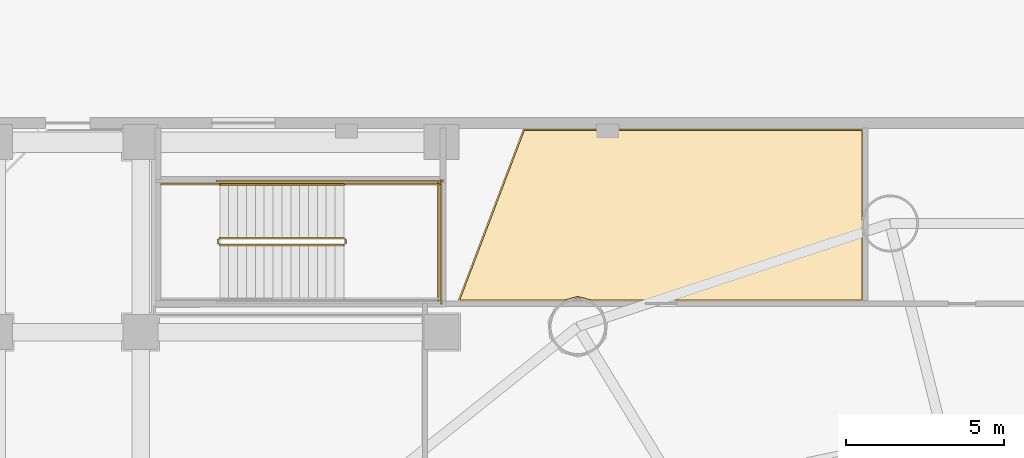
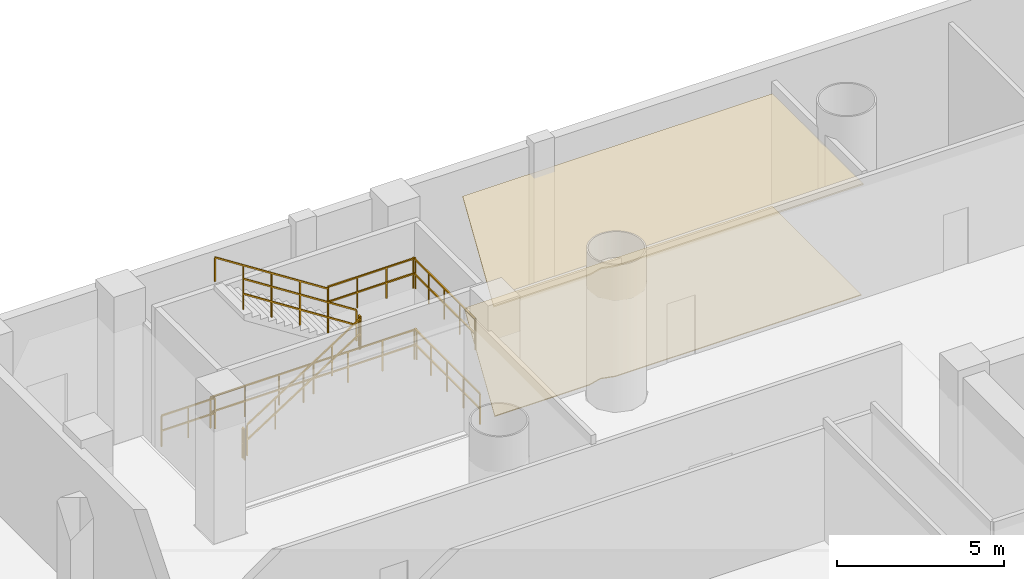
# One storey, part 20 of 25: 10 railings, 2 coverings.
"""IFC4 building model written with IfcOpenShell, lengths in metres."""

from ifc_helpers import new_model, si_unit, direction, frame, origin, origin_2d, place, context, subcontext, project, spatial, polyline, rectangle, outline, extrude, material, layer, layer_set, type_object, element, save


model = new_model("IFC4")

# Units and contexts
model_context = context("Model", 3, precision=1e-05, world=origin(), true_north=direction((-0.2419218956, 0.970295726276)))
body_context = subcontext(model_context, "Body", "Model", "MODEL_VIEW")
ifc_project = project(units=[si_unit("LENGTHUNIT", "METRE"), si_unit("AREAUNIT", "SQUARE_METRE"), si_unit("VOLUMEUNIT", "CUBIC_METRE"), si_unit("PLANEANGLEUNIT", "RADIAN"), si_unit("MASSUNIT", "GRAM", prefix="KILO")], contexts=[model_context])

# Site, building, storey
site_placement = place(None, origin())
site = spatial("IfcSite", under=ifc_project, at=site_placement, CompositionType="ELEMENT")
building_placement = place(site_placement, origin())
building = spatial("IfcBuilding", under=site, at=building_placement, Name="Cobrevalo Terracotta Tower", CompositionType="ELEMENT")
storey_placement = place(building_placement, origin())
storey = spatial("IfcBuildingStorey", under=building, at=storey_placement, Name="L00", CompositionType="ELEMENT", Elevation=0.0)

# Coverings
ifc_material_1 = material(Name="Honed terracotta and granite tile", Category="masonry")
ifc_layer_1 = layer(ifc_material_1, 0.034912109375)
ifc_layer_set_1 = layer_set([ifc_layer_1], Name="Honed terracotta and granite tile")
covering_type_1 = type_object("IfcCoveringType", Name="Honed Terracotta & Granite Interior Flooring 35", PredefinedType="FLOORING", material=ifc_layer_set_1)
covering_1_placement = place(storey_placement, origin())
element("IfcCovering", 1, at=covering_1_placement, inside=storey, type_object=covering_type_1, Name="Fire Command Centre floor finish", PredefinedType="FLOORING", context=body_context, shape_type="SweptSolid", body=[
    extrude(outline(polyline([(31.780029296875, 51.159912109375), (31.780029296875, 45.81005859375), (23.256103515625, 45.81005859375), (22.80517578125, 45.927734375), (22.354248046875, 45.81005859375), (19.0791015625, 45.81005859375), (21.11376953125, 51.159912109375), (31.780029296875, 51.159912109375)])), origin(), (0.0, 0.0, 1.0), 0.030029296875),
])
ifc_material_2 = material(Name="Acoustic perforated gypsum ceiling", Category="gypsum")
ifc_layer_2 = layer(ifc_material_2, 0.050048828125)
ifc_layer_set_2 = layer_set([ifc_layer_2], Name="Acoustic perforated gypsum ceiling")
covering_type_2 = type_object("IfcCoveringType", Name="Perforated Acoustic Gypsum Ceiling 50", PredefinedType="CEILING", material=ifc_layer_set_2)
covering_2_placement = place(storey_placement, frame((0.0, 0.0, 4.06005859375)))
element("IfcCovering", 2, at=covering_2_placement, inside=storey, type_object=covering_type_2, Name="Fire Command Centre acoustic ceiling", PredefinedType="CEILING", context=body_context, shape_type="SweptSolid", body=[
    extrude(outline(polyline([(31.824951171875, 51.205078125), (31.824951171875, 45.764892578125), (23.244873046875, 45.764892578125), (22.80517578125, 45.882568359375), (22.365478515625, 45.764892578125), (19.013671875, 45.764892578125), (21.082763671875, 51.205078125), (31.824951171875, 51.205078125)])), origin(), (0.0, 0.0, 1.0), 0.050048828125),
])

# Railings
ifc_material_3 = material(Name="Brushed stainless steel", Category="steel")
railing_type_1 = type_object("IfcRailingType", Name="Stainless Steel Stair Handrail 900", PredefinedType="HANDRAIL", material=ifc_material_3)
railing_1_placement = place(storey_placement, frame((15.419921875, 49.469970703125, 2.8798828125)))
element("IfcRailing", 3, at=railing_1_placement, inside=storey, type_object=railing_type_1, Name="L00 ST-P1 stair handrail 2", PredefinedType="HANDRAIL", context=body_context, shape_type="SweptSolid", body=[
    extrude(rectangle(XDim=0.048095703125, YDim=0.048095703125, at=origin_2d()), frame((0.0, 0.0, 0.8759765625), z_axis=(-0.841171666519, 0.0, 0.540768182723), x_axis=(0.0, -1.0, 0.0)), (0.0, 0.0, 1.0), 4.66015625),
    extrude(rectangle(XDim=0.0419921875, YDim=0.0419921875, at=origin_2d()), origin(), (0.0, 0.0, 1.0), 0.851806640625),
    extrude(rectangle(XDim=0.0419921875, YDim=0.0419921875, at=origin_2d()), frame((-0.97998046875, 0.0, 0.6298828125)), (0.0, 0.0, 1.0), 0.851806640625),
    extrude(rectangle(XDim=0.0419921875, YDim=0.0419921875, at=origin_2d()), frame((-1.9599609375, 0.0, 1.260009765625)), (0.0, 0.0, 1.0), 0.851806640625),
    extrude(rectangle(XDim=0.0419921875, YDim=0.0419921875, at=origin_2d()), frame((-2.93994140625, 0.0, 1.89013671875)), (0.0, 0.0, 1.0), 0.851806640625),
    extrude(rectangle(XDim=0.0419921875, YDim=0.0419921875, at=origin_2d()), frame((-3.919921875, 0.0, 2.52001953125)), (0.0, 0.0, 1.0), 0.851806640625),
])
ifc_material_4 = material(Name="Painted galvanized steel", Category="steel")
railing_type_2 = type_object("IfcRailingType", Name="Stair Well Guard Balustrade 1150", PredefinedType="GUARDRAIL", material=ifc_material_4)
railing_2_placement = place(storey_placement, frame((11.5, 47.550048828125, 0.179931640625)))
element("IfcRailing", 4, at=railing_2_placement, inside=storey, type_object=railing_type_2, Name="L00 ST-P1 stair guard 1", PredefinedType="GUARDRAIL", context=body_context, shape_type="SweptSolid", body=[
    extrude(rectangle(XDim=0.048095703125, YDim=0.048095703125, at=origin_2d()), frame((0.0, 0.0, 1.1259765625), z_axis=(0.841171666519, 0.0, 0.540768182723), x_axis=(0.0, 1.0, 0.0)), (0.0, 0.0, 1.0), 4.66015625),
    extrude(rectangle(XDim=0.048095703125, YDim=0.048095703125, at=origin_2d()), frame((0.0, 0.0, 0.574951171875), z_axis=(0.841171666519, 0.0, 0.540768182723), x_axis=(0.0, 1.0, 0.0)), (0.0, 0.0, 1.0), 4.66015625),
    extrude(rectangle(XDim=0.0419921875, YDim=0.0419921875, at=origin_2d()), origin(), (0.0, 0.0, 1.0), 1.101806640625),
    extrude(rectangle(XDim=0.0419921875, YDim=0.0419921875, at=origin_2d()), frame((0.97998046875, 0.0, 0.6298828125)), (0.0, 0.0, 1.0), 1.101806640625),
    extrude(rectangle(XDim=0.0419921875, YDim=0.0419921875, at=origin_2d()), frame((1.9599609375, 0.0, 1.260009765625)), (0.0, 0.0, 1.0), 1.101806640625),
    extrude(rectangle(XDim=0.0419921875, YDim=0.0419921875, at=origin_2d()), frame((2.93994140625, 0.0, 1.89013671875)), (0.0, 0.0, 1.0), 1.101806640625),
    extrude(rectangle(XDim=0.0419921875, YDim=0.0419921875, at=origin_2d()), frame((3.919921875, 0.0, 2.52001953125)), (0.0, 0.0, 1.0), 1.101806640625),
])
railing_3_placement = place(storey_placement, frame((15.469970703125, 47.60009765625, 2.699951171875)))
element("IfcRailing", 5, at=railing_3_placement, inside=storey, type_object=railing_type_2, Name="L00 ST-P1 stair guard 2", PredefinedType="GUARDRAIL", context=body_context, shape_type="SweptSolid", body=[
    extrude(rectangle(XDim=0.048095703125, YDim=0.048095703125, at=origin_2d()), frame((0.0, 0.0, 1.1259765625), z_axis=(0.0, 1.0, 0.0), x_axis=(-1.0, 0.0, 0.0)), (0.0, 0.0, 1.0), 0.119873046875),
    extrude(rectangle(XDim=0.048095703125, YDim=0.048095703125, at=origin_2d()), frame((0.0, 0.0, 0.574951171875), z_axis=(0.0, 1.0, 0.0), x_axis=(-1.0, 0.0, 0.0)), (0.0, 0.0, 1.0), 0.119873046875),
    extrude(rectangle(XDim=0.0419921875, YDim=0.0419921875, at=origin_2d()), origin(), (0.0, 0.0, 1.0), 1.101806640625),
    extrude(rectangle(XDim=0.0419921875, YDim=0.0419921875, at=origin_2d()), frame((0.0, 0.119873046875, 0.0)), (0.0, 0.0, 1.0), 1.101806640625),
])
railing_4_placement = place(storey_placement, frame((15.419921875, 49.469970703125, 2.699951171875)))
element("IfcRailing", 6, at=railing_4_placement, inside=storey, type_object=railing_type_2, Name="L00 ST-P1 stair guard 4", PredefinedType="GUARDRAIL", context=body_context, shape_type="SweptSolid", body=[
    extrude(rectangle(XDim=0.048095703125, YDim=0.048095703125, at=origin_2d()), frame((0.0, 0.0, 1.1259765625), z_axis=(1.0, 0.0, 0.0), x_axis=(0.0, 1.0, 0.0)), (0.0, 0.0, 1.0), 3.030029296875),
    extrude(rectangle(XDim=0.048095703125, YDim=0.048095703125, at=origin_2d()), frame((0.0, 0.0, 0.574951171875), z_axis=(1.0, 0.0, 0.0), x_axis=(0.0, 1.0, 0.0)), (0.0, 0.0, 1.0), 3.030029296875),
    extrude(rectangle(XDim=0.0419921875, YDim=0.0419921875, at=origin_2d()), origin(), (0.0, 0.0, 1.0), 1.101806640625),
    extrude(rectangle(XDim=0.0419921875, YDim=0.0419921875, at=origin_2d()), frame((1.010009765625, 0.0, 0.0)), (0.0, 0.0, 1.0), 1.101806640625),
    extrude(rectangle(XDim=0.0419921875, YDim=0.0419921875, at=origin_2d()), frame((2.02001953125, 0.0, 0.0)), (0.0, 0.0, 1.0), 1.101806640625),
    extrude(rectangle(XDim=0.0419921875, YDim=0.0419921875, at=origin_2d()), frame((3.030029296875, 0.0, 0.0)), (0.0, 0.0, 1.0), 1.101806640625),
])
railing_5_placement = place(storey_placement, frame((18.39990234375, 45.800048828125, 2.699951171875)))
element("IfcRailing", 7, at=railing_5_placement, inside=storey, type_object=railing_type_2, Name="L00 ST-P1 stair guard 5", PredefinedType="GUARDRAIL", context=body_context, shape_type="SweptSolid", body=[
    extrude(rectangle(XDim=0.048095703125, YDim=0.048095703125, at=origin_2d()), frame((0.0, 0.0, 1.1259765625), z_axis=(0.0, 1.0, 0.0), x_axis=(-1.0, 0.0, 0.0)), (0.0, 0.0, 1.0), 3.719970703125),
    extrude(rectangle(XDim=0.048095703125, YDim=0.048095703125, at=origin_2d()), frame((0.0, 0.0, 0.574951171875), z_axis=(0.0, 1.0, 0.0), x_axis=(-1.0, 0.0, 0.0)), (0.0, 0.0, 1.0), 3.719970703125),
    extrude(rectangle(XDim=0.0419921875, YDim=0.0419921875, at=origin_2d()), origin(), (0.0, 0.0, 1.0), 1.101806640625),
    extrude(rectangle(XDim=0.0419921875, YDim=0.0419921875, at=origin_2d()), frame((0.0, 0.929931640625, 0.0)), (0.0, 0.0, 1.0), 1.101806640625),
    extrude(rectangle(XDim=0.0419921875, YDim=0.0419921875, at=origin_2d()), frame((0.0, 1.85986328125, 0.0)), (0.0, 0.0, 1.0), 1.101806640625),
    extrude(rectangle(XDim=0.0419921875, YDim=0.0419921875, at=origin_2d()), frame((0.0, 2.7900390625, 0.0)), (0.0, 0.0, 1.0), 1.101806640625),
    extrude(rectangle(XDim=0.0419921875, YDim=0.0419921875, at=origin_2d()), frame((0.0, 3.719970703125, 0.0)), (0.0, 0.0, 1.0), 1.101806640625),
])
railing_6_placement = place(storey_placement, frame((15.419921875, 47.77001953125, 2.8798828125)))
element("IfcRailing", 8, at=railing_6_placement, inside=storey, type_object=railing_type_2, Name="L00 ST-P1 stair guard 6", PredefinedType="GUARDRAIL", context=body_context, shape_type="SweptSolid", body=[
    extrude(rectangle(XDim=0.048095703125, YDim=0.048095703125, at=origin_2d()), frame((0.0, 0.0, 1.1259765625), z_axis=(-0.841171666519, 0.0, 0.540768182723), x_axis=(0.0, -1.0, 0.0)), (0.0, 0.0, 1.0), 4.66015625),
    extrude(rectangle(XDim=0.048095703125, YDim=0.048095703125, at=origin_2d()), frame((0.0, 0.0, 0.574951171875), z_axis=(-0.841171666519, 0.0, 0.540768182723), x_axis=(0.0, -1.0, 0.0)), (0.0, 0.0, 1.0), 4.66015625),
    extrude(rectangle(XDim=0.0419921875, YDim=0.0419921875, at=origin_2d()), origin(), (0.0, 0.0, 1.0), 1.101806640625),
    extrude(rectangle(XDim=0.0419921875, YDim=0.0419921875, at=origin_2d()), frame((-0.97998046875, 0.0, 0.6298828125)), (0.0, 0.0, 1.0), 1.101806640625),
    extrude(rectangle(XDim=0.0419921875, YDim=0.0419921875, at=origin_2d()), frame((-1.9599609375, 0.0, 1.260009765625)), (0.0, 0.0, 1.0), 1.101806640625),
    extrude(rectangle(XDim=0.0419921875, YDim=0.0419921875, at=origin_2d()), frame((-2.93994140625, 0.0, 1.89013671875)), (0.0, 0.0, 1.0), 1.101806640625),
    extrude(rectangle(XDim=0.0419921875, YDim=0.0419921875, at=origin_2d()), frame((-3.919921875, 0.0, 2.52001953125)), (0.0, 0.0, 1.0), 1.101806640625),
])
railing_7_placement = place(storey_placement, frame((11.449951171875, 47.60009765625, 0.0)))
element("IfcRailing", 9, at=railing_7_placement, inside=storey, type_object=railing_type_2, Name="L00 ST-P1 stair guard 7", PredefinedType="GUARDRAIL", context=body_context, shape_type="SweptSolid", body=[
    extrude(rectangle(XDim=0.048095703125, YDim=0.048095703125, at=origin_2d()), frame((0.0, 0.0, 1.1259765625), z_axis=(0.0, 1.0, 0.0), x_axis=(-1.0, 0.0, 0.0)), (0.0, 0.0, 1.0), 0.119873046875),
    extrude(rectangle(XDim=0.048095703125, YDim=0.048095703125, at=origin_2d()), frame((0.0, 0.0, 0.574951171875), z_axis=(0.0, 1.0, 0.0), x_axis=(-1.0, 0.0, 0.0)), (0.0, 0.0, 1.0), 0.119873046875),
    extrude(rectangle(XDim=0.0419921875, YDim=0.0419921875, at=origin_2d()), origin(), (0.0, 0.0, 1.0), 1.101806640625),
    extrude(rectangle(XDim=0.0419921875, YDim=0.0419921875, at=origin_2d()), frame((0.0, 0.119873046875, 0.0)), (0.0, 0.0, 1.0), 1.101806640625),
])
railing_8_placement = place(storey_placement, frame((9.64990234375, 49.469970703125, 0.0)))
element("IfcRailing", 10, at=railing_8_placement, inside=storey, type_object=railing_type_2, Name="L00 ST-P1 stair guard 9", PredefinedType="GUARDRAIL", context=body_context, shape_type="SweptSolid", body=[
    extrude(rectangle(XDim=0.048095703125, YDim=0.048095703125, at=origin_2d()), frame((0.0, 0.0, 1.1259765625), z_axis=(1.0, 0.0, 0.0), x_axis=(0.0, 1.0, 0.0)), (0.0, 0.0, 1.0), 1.85009765625),
    extrude(rectangle(XDim=0.048095703125, YDim=0.048095703125, at=origin_2d()), frame((0.0, 0.0, 0.574951171875), z_axis=(1.0, 0.0, 0.0), x_axis=(0.0, 1.0, 0.0)), (0.0, 0.0, 1.0), 1.85009765625),
    extrude(rectangle(XDim=0.0419921875, YDim=0.0419921875, at=origin_2d()), origin(), (0.0, 0.0, 1.0), 1.101806640625),
    extrude(rectangle(XDim=0.0419921875, YDim=0.0419921875, at=origin_2d()), frame((0.925048828125, 0.0, 0.0)), (0.0, 0.0, 1.0), 1.101806640625),
    extrude(rectangle(XDim=0.0419921875, YDim=0.0419921875, at=origin_2d()), frame((1.85009765625, 0.0, 0.0)), (0.0, 0.0, 1.0), 1.101806640625),
])
railing_9_placement = place(storey_placement, frame((11.39990234375, 49.570068359375, 0.0)))
element("IfcRailing", 11, at=railing_9_placement, inside=storey, type_object=railing_type_2, Name="L00 ST-P1 stair guard 11", PredefinedType="GUARDRAIL", context=body_context, shape_type="SweptSolid", body=[
    extrude(rectangle(XDim=0.048095703125, YDim=0.048095703125, at=origin_2d()), frame((0.0, 0.0, 1.1259765625), z_axis=(1.0, 0.0, 0.0), x_axis=(0.0, 1.0, 0.0)), (0.0, 0.0, 1.0), 7.150146484375),
    extrude(rectangle(XDim=0.048095703125, YDim=0.048095703125, at=origin_2d()), frame((0.0, 0.0, 0.574951171875), z_axis=(1.0, 0.0, 0.0), x_axis=(0.0, 1.0, 0.0)), (0.0, 0.0, 1.0), 7.150146484375),
    extrude(rectangle(XDim=0.0419921875, YDim=0.0419921875, at=origin_2d()), origin(), (0.0, 0.0, 1.0), 1.101806640625),
    extrude(rectangle(XDim=0.0419921875, YDim=0.0419921875, at=origin_2d()), frame((1.191650390625, 0.0, 0.0)), (0.0, 0.0, 1.0), 1.101806640625),
    extrude(rectangle(XDim=0.0419921875, YDim=0.0419921875, at=origin_2d()), frame((2.38330078125, 0.0, 0.0)), (0.0, 0.0, 1.0), 1.101806640625),
    extrude(rectangle(XDim=0.0419921875, YDim=0.0419921875, at=origin_2d()), frame((3.5751953125, 0.0, 0.0)), (0.0, 0.0, 1.0), 1.101806640625),
    extrude(rectangle(XDim=0.0419921875, YDim=0.0419921875, at=origin_2d()), frame((4.766845703125, 0.0, 0.0)), (0.0, 0.0, 1.0), 1.101806640625),
    extrude(rectangle(XDim=0.0419921875, YDim=0.0419921875, at=origin_2d()), frame((5.95849609375, 0.0, 0.0)), (0.0, 0.0, 1.0), 1.101806640625),
    extrude(rectangle(XDim=0.0419921875, YDim=0.0419921875, at=origin_2d()), frame((7.150146484375, 0.0, 0.0)), (0.0, 0.0, 1.0), 1.101806640625),
])
railing_10_placement = place(storey_placement, frame((18.5, 45.699951171875, 0.0)))
element("IfcRailing", 12, at=railing_10_placement, inside=storey, type_object=railing_type_2, Name="L00 ST-P1 stair guard 12", PredefinedType="GUARDRAIL", context=body_context, shape_type="SweptSolid", body=[
    extrude(rectangle(XDim=0.048095703125, YDim=0.048095703125, at=origin_2d()), frame((0.0, 0.0, 1.1259765625), z_axis=(0.0, 1.0, 0.0), x_axis=(-1.0, 0.0, 0.0)), (0.0, 0.0, 1.0), 3.920166015625),
    extrude(rectangle(XDim=0.048095703125, YDim=0.048095703125, at=origin_2d()), frame((0.0, 0.0, 0.574951171875), z_axis=(0.0, 1.0, 0.0), x_axis=(-1.0, 0.0, 0.0)), (0.0, 0.0, 1.0), 3.920166015625),
    extrude(rectangle(XDim=0.0419921875, YDim=0.0419921875, at=origin_2d()), origin(), (0.0, 0.0, 1.0), 1.101806640625),
    extrude(rectangle(XDim=0.0419921875, YDim=0.0419921875, at=origin_2d()), frame((0.0, 0.97998046875, 0.0)), (0.0, 0.0, 1.0), 1.101806640625),
    extrude(rectangle(XDim=0.0419921875, YDim=0.0419921875, at=origin_2d()), frame((0.0, 1.9599609375, 0.0)), (0.0, 0.0, 1.0), 1.101806640625),
    extrude(rectangle(XDim=0.0419921875, YDim=0.0419921875, at=origin_2d()), frame((0.0, 2.940185546875, 0.0)), (0.0, 0.0, 1.0), 1.101806640625),
    extrude(rectangle(XDim=0.0419921875, YDim=0.0419921875, at=origin_2d()), frame((0.0, 3.920166015625, 0.0)), (0.0, 0.0, 1.0), 1.101806640625),
])

save(model, "model.ifc")
